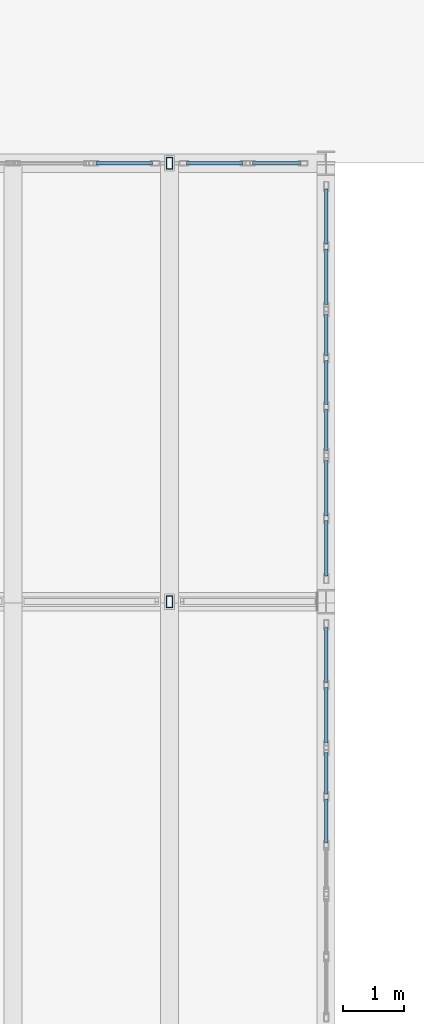
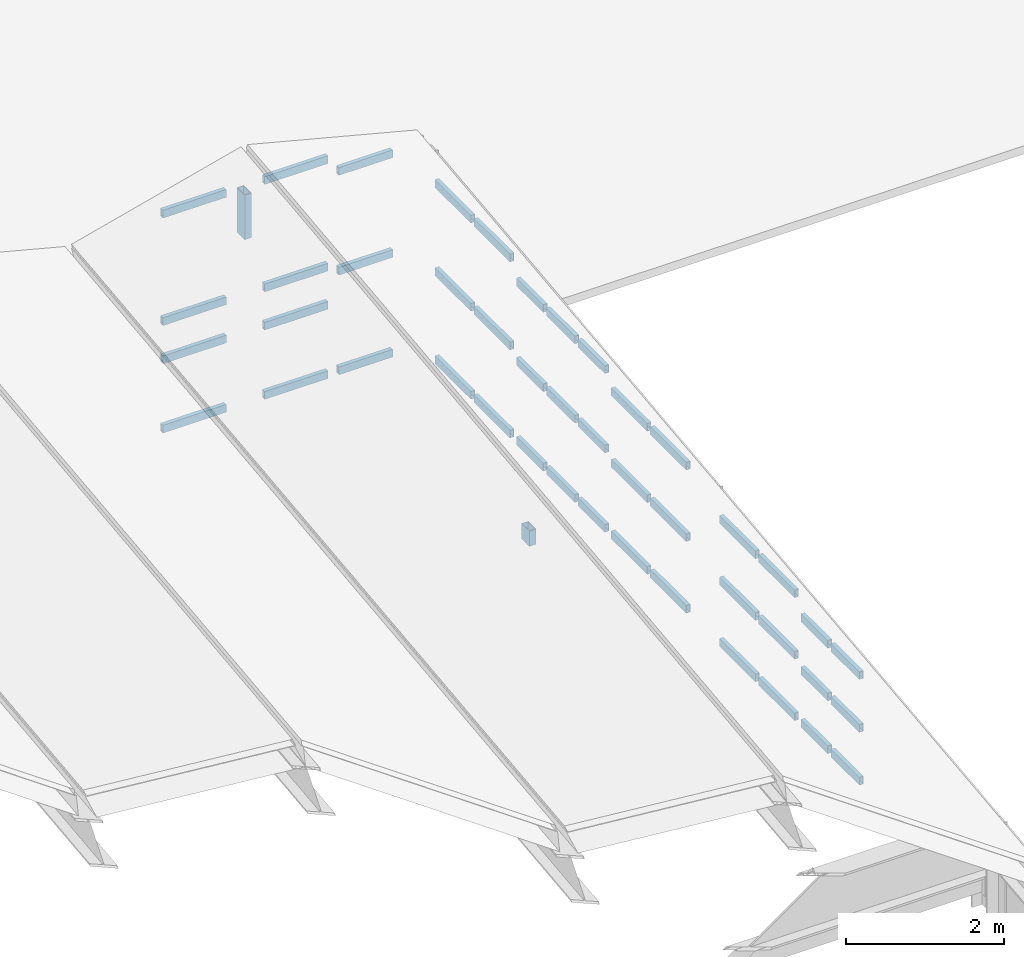
# One storey, part 23 of 39: 46 members, 8 elements without a shape of their own.
"""IFC4 building model written with IfcOpenShell, lengths in metres."""

from ifc_helpers import new_model, si_unit, direction, frame, origin, origin_2d, place, context, subcontext, project, spatial, hollow_rectangle, extrude, material, layer, layer_set, material_profile, profile_set, type_object, element, aggregate, save


model = new_model("IFC4")

# Units and contexts
model_context = context("Model", 3, precision=1e-05, world=origin(), true_north=direction((0.0, 1.0)))
body_context = subcontext(model_context, "Body", "Model", "MODEL_VIEW")
ifc_project = project(units=[si_unit("LENGTHUNIT", "METRE"), si_unit("AREAUNIT", "SQUARE_METRE"), si_unit("VOLUMEUNIT", "CUBIC_METRE"), si_unit("PLANEANGLEUNIT", "RADIAN"), si_unit("MASSUNIT", "GRAM", prefix="KILO"), si_unit("THERMODYNAMICTEMPERATUREUNIT", "KELVIN"), si_unit("POWERUNIT", "WATT")], contexts=[model_context])

# Site, building, storey
site_placement = place(None, origin())
site = spatial("IfcSite", under=ifc_project, at=site_placement, CompositionType="ELEMENT")
building_placement = place(site_placement, origin())
building = spatial("IfcBuilding", under=site, at=building_placement, Name="Kaldorven Railside Theatre", CompositionType="ELEMENT")
storey_placement = place(building_placement, frame((0.0, 0.0, 27.300048828125)))
storey = spatial("IfcBuildingStorey", under=building, at=storey_placement, Name="ROOF", CompositionType="ELEMENT", Elevation=27.300048828125)

# Curtain wall, members
ifc_material_1 = material(Name="Low-E laminated solar-control glass", Category="glass")
ifc_layer_1 = layer(ifc_material_1, 0.159912109375, Name="Low-E laminated solar-control glass")
ifc_layer_set_1 = layer_set([ifc_layer_1], Name="Low-E laminated solar-control glass")
curtain_wall_type_1 = type_object("IfcCurtainWallType", Name="CWT-48", PredefinedType="USERDEFINED", material=ifc_layer_set_1)
curtain_wall_1_placement = place(storey_placement, origin())
curtain_wall_1 = element("IfcCurtainWall", 1, at=curtain_wall_1_placement, inside=storey, type_object=curtain_wall_type_1, Name="Fly-Tower North Crown Clerestory CWG-088", ObjectType="FLUTED GLAZING", PredefinedType="USERDEFINED")
ifc_material_2 = material(Name="Anodised bronze aluminium", Category="aluminium")
ifc_material_profile_1 = material_profile(ifc_material_2, hollow_rectangle(XDim=0.06005859375, YDim=0.1201171875, WallThickness=0.0048828125, at=origin_2d()), Name="RHS 120x60x5")
ifc_profile_set_1 = profile_set([ifc_material_profile_1], Name="Anodised bronze aluminium")
member_type_1 = type_object("IfcMemberType", Name="CWT-120", PredefinedType="USERDEFINED", material=ifc_profile_set_1)
member_1_placement = place(storey_placement, frame((119.4228515625, 112.800048828125, 0.050048828125), z_axis=(1.0, 0.0, 0.0), x_axis=(0.0, 1.0, 0.0)))
member_1 = element("IfcMember", 2, at=member_1_placement, type_object=member_type_1, Name="CWG-088 transom 1.1", ObjectType="TRANSOM", PredefinedType="USERDEFINED", context=body_context, shape_type="SweptSolid", body=[
    extrude(hollow_rectangle(XDim=0.06005859375, YDim=0.1201171875, WallThickness=0.0048828125, at=origin_2d()), origin(), (0.0, 0.0, 1.0), 0.925537109375),
])
member_2_placement = place(storey_placement, frame((119.4228515625, 112.800048828125, 1.119873046875), z_axis=(1.0, 0.0, 0.0), x_axis=(0.0, 1.0, 0.0)))
member_2 = element("IfcMember", 3, at=member_2_placement, type_object=member_type_1, Name="CWG-088 transom 1.2", ObjectType="TRANSOM", PredefinedType="USERDEFINED", context=body_context, shape_type="SweptSolid", body=[
    extrude(hollow_rectangle(XDim=0.06005859375, YDim=0.1201171875, WallThickness=0.0048828125, at=origin_2d()), origin(), (0.0, 0.0, 1.0), 0.925537109375),
])
member_3_placement = place(storey_placement, frame((119.4228515625, 112.800048828125, 1.7099609375), z_axis=(1.0, 0.0, 0.0), x_axis=(0.0, 1.0, 0.0)))
member_3 = element("IfcMember", 4, at=member_3_placement, type_object=member_type_1, Name="CWG-088 transom 1.3", ObjectType="TRANSOM", PredefinedType="USERDEFINED", context=body_context, shape_type="SweptSolid", body=[
    extrude(hollow_rectangle(XDim=0.06005859375, YDim=0.1201171875, WallThickness=0.0048828125, at=origin_2d()), origin(), (0.0, 0.0, 1.0), 0.925537109375),
])
member_4_placement = place(storey_placement, frame((119.4228515625, 112.800048828125, 3.369873046875), z_axis=(1.0, 0.0, 0.0), x_axis=(0.0, 1.0, 0.0)))
member_4 = element("IfcMember", 5, at=member_4_placement, type_object=member_type_1, Name="CWG-088 transom 1.4", ObjectType="TRANSOM", PredefinedType="USERDEFINED", context=body_context, shape_type="SweptSolid", body=[
    extrude(hollow_rectangle(XDim=0.06005859375, YDim=0.1201171875, WallThickness=0.0048828125, at=origin_2d()), origin(), (0.0, 0.0, 1.0), 0.925537109375),
])
aggregate(curtain_wall_1, [member_1, member_2, member_3, member_4])

curtain_wall_2_placement = place(storey_placement, origin())
curtain_wall_2 = element("IfcCurtainWall", 6, at=curtain_wall_2_placement, inside=storey, type_object=curtain_wall_type_1, Name="Fly-Tower North Crown Clerestory CWG-089", ObjectType="FLUTED GLAZING", PredefinedType="USERDEFINED")
member_5_placement = place(storey_placement, frame((120.908447265625, 112.800048828125, 0.050048828125), z_axis=(1.0, 0.0, 0.0), x_axis=(0.0, 1.0, 0.0)))
member_5 = element("IfcMember", 7, at=member_5_placement, type_object=member_type_1, Name="CWG-089 transom 1.1", ObjectType="TRANSOM", PredefinedType="USERDEFINED", context=body_context, shape_type="SweptSolid", body=[
    extrude(hollow_rectangle(XDim=0.06005859375, YDim=0.1201171875, WallThickness=0.0048828125, at=origin_2d()), origin(), (0.0, 0.0, 1.0), 0.92578125),
])
member_6_placement = place(storey_placement, frame((120.908447265625, 112.800048828125, 1.119873046875), z_axis=(1.0, 0.0, 0.0), x_axis=(0.0, 1.0, 0.0)))
member_6 = element("IfcMember", 8, at=member_6_placement, type_object=member_type_1, Name="CWG-089 transom 1.2", ObjectType="TRANSOM", PredefinedType="USERDEFINED", context=body_context, shape_type="SweptSolid", body=[
    extrude(hollow_rectangle(XDim=0.06005859375, YDim=0.1201171875, WallThickness=0.0048828125, at=origin_2d()), origin(), (0.0, 0.0, 1.0), 0.92578125),
])
member_7_placement = place(storey_placement, frame((120.908447265625, 112.800048828125, 1.7099609375), z_axis=(1.0, 0.0, 0.0), x_axis=(0.0, 1.0, 0.0)))
member_7 = element("IfcMember", 9, at=member_7_placement, type_object=member_type_1, Name="CWG-089 transom 1.3", ObjectType="TRANSOM", PredefinedType="USERDEFINED", context=body_context, shape_type="SweptSolid", body=[
    extrude(hollow_rectangle(XDim=0.06005859375, YDim=0.1201171875, WallThickness=0.0048828125, at=origin_2d()), origin(), (0.0, 0.0, 1.0), 0.92578125),
])
member_8_placement = place(storey_placement, frame((120.908447265625, 112.800048828125, 3.369873046875), z_axis=(1.0, 0.0, 0.0), x_axis=(0.0, 1.0, 0.0)))
member_8 = element("IfcMember", 10, at=member_8_placement, type_object=member_type_1, Name="CWG-089 transom 1.4", ObjectType="TRANSOM", PredefinedType="USERDEFINED", context=body_context, shape_type="SweptSolid", body=[
    extrude(hollow_rectangle(XDim=0.06005859375, YDim=0.1201171875, WallThickness=0.0048828125, at=origin_2d()), origin(), (0.0, 0.0, 1.0), 0.92578125),
])
aggregate(curtain_wall_2, [member_5, member_6, member_7, member_8])

ifc_layer_2 = layer(ifc_material_1, 0.159912109375, Name="Low-E laminated solar-control glass")
ifc_layer_set_2 = layer_set([ifc_layer_2], Name="Low-E laminated solar-control glass")
curtain_wall_type_2 = type_object("IfcCurtainWallType", Name="CWT-47", PredefinedType="USERDEFINED", material=ifc_layer_set_2)
curtain_wall_3_placement = place(storey_placement, origin())
curtain_wall_3 = element("IfcCurtainWall", 11, at=curtain_wall_3_placement, inside=storey, type_object=curtain_wall_type_2, Name="Fly-Tower North Crown Clerestory CWG-090", ObjectType="FLUTED GLAZING", PredefinedType="USERDEFINED")
member_9_placement = place(storey_placement, frame((121.994384765625, 112.800048828125, 0.050048828125), z_axis=(1.0, 0.0, 0.0), x_axis=(0.0, 1.0, 0.0)))
member_9 = element("IfcMember", 12, at=member_9_placement, type_object=member_type_1, Name="CWG-090 transom 1.1", ObjectType="TRANSOM", PredefinedType="USERDEFINED", context=body_context, shape_type="SweptSolid", body=[
    extrude(hollow_rectangle(XDim=0.06005859375, YDim=0.1201171875, WallThickness=0.0048828125, at=origin_2d()), origin(), (0.0, 0.0, 1.0), 0.78564453125),
])
member_10_placement = place(storey_placement, frame((121.994384765625, 112.800048828125, 1.58984375), z_axis=(1.0, 0.0, 0.0), x_axis=(0.0, 1.0, 0.0)))
member_10 = element("IfcMember", 13, at=member_10_placement, type_object=member_type_1, Name="CWG-090 transom 1.2", ObjectType="TRANSOM", PredefinedType="USERDEFINED", context=body_context, shape_type="SweptSolid", body=[
    extrude(hollow_rectangle(XDim=0.06005859375, YDim=0.1201171875, WallThickness=0.0048828125, at=origin_2d()), origin(), (0.0, 0.0, 1.0), 0.78564453125),
])
member_11_placement = place(storey_placement, frame((121.994384765625, 112.800048828125, 3.1298828125), z_axis=(1.0, 0.0, 0.0), x_axis=(0.0, 1.0, 0.0)))
member_11 = element("IfcMember", 14, at=member_11_placement, type_object=member_type_1, Name="CWG-090 transom 1.3", ObjectType="TRANSOM", PredefinedType="USERDEFINED", context=body_context, shape_type="SweptSolid", body=[
    extrude(hollow_rectangle(XDim=0.06005859375, YDim=0.1201171875, WallThickness=0.0048828125, at=origin_2d()), origin(), (0.0, 0.0, 1.0), 0.78564453125),
])
aggregate(curtain_wall_3, [member_9, member_10, member_11])

ifc_layer_3 = layer(ifc_material_1, 0.159912109375, Name="Low-E laminated solar-control glass")
ifc_layer_set_3 = layer_set([ifc_layer_3], Name="Low-E laminated solar-control glass")
curtain_wall_type_3 = type_object("IfcCurtainWallType", Name="CWT-56", PredefinedType="USERDEFINED", material=ifc_layer_set_3)
curtain_wall_4_placement = place(storey_placement, origin())
curtain_wall_4 = element("IfcCurtainWall", 15, at=curtain_wall_4_placement, inside=storey, type_object=curtain_wall_type_3, Name="Fly-Tower East Crown Clerestory CWG-106", ObjectType="FLUTED GLAZING", PredefinedType="USERDEFINED")
member_12_placement = place(storey_placement, frame((123.199951171875, 101.639892578125, 0.050048828125), z_axis=(0.0, 1.0, 0.0), x_axis=(-1.0, 0.0, 0.0)))
member_12 = element("IfcMember", 16, at=member_12_placement, type_object=member_type_1, Name="CWG-106 transom 2.1", ObjectType="TRANSOM", PredefinedType="USERDEFINED", context=body_context, shape_type="SweptSolid", body=[
    extrude(hollow_rectangle(XDim=0.06005859375, YDim=0.1201171875, WallThickness=0.0048828125, at=origin_2d()), origin(), (0.0, 0.0, 1.0), 0.72021484375),
])
member_13_placement = place(storey_placement, frame((123.199951171875, 101.639892578125, 0.864990234375), z_axis=(0.0, 1.0, 0.0), x_axis=(-1.0, 0.0, 0.0)))
member_13 = element("IfcMember", 17, at=member_13_placement, type_object=member_type_1, Name="CWG-106 transom 2.2", ObjectType="TRANSOM", PredefinedType="USERDEFINED", context=body_context, shape_type="SweptSolid", body=[
    extrude(hollow_rectangle(XDim=0.06005859375, YDim=0.1201171875, WallThickness=0.0048828125, at=origin_2d()), origin(), (0.0, 0.0, 1.0), 0.72021484375),
])
member_14_placement = place(storey_placement, frame((123.199951171875, 101.639892578125, 1.679931640625), z_axis=(0.0, 1.0, 0.0), x_axis=(-1.0, 0.0, 0.0)))
member_14 = element("IfcMember", 18, at=member_14_placement, type_object=member_type_1, Name="CWG-106 transom 2.3", ObjectType="TRANSOM", PredefinedType="USERDEFINED", context=body_context, shape_type="SweptSolid", body=[
    extrude(hollow_rectangle(XDim=0.06005859375, YDim=0.1201171875, WallThickness=0.0048828125, at=origin_2d()), origin(), (0.0, 0.0, 1.0), 0.72021484375),
])
member_15_placement = place(storey_placement, frame((123.199951171875, 102.43994140625, 0.050048828125), z_axis=(0.0, 1.0, 0.0), x_axis=(-1.0, 0.0, 0.0)))
member_15 = element("IfcMember", 19, at=member_15_placement, type_object=member_type_1, Name="CWG-106 transom 3.1", ObjectType="TRANSOM", PredefinedType="USERDEFINED", context=body_context, shape_type="SweptSolid", body=[
    extrude(hollow_rectangle(XDim=0.06005859375, YDim=0.1201171875, WallThickness=0.0048828125, at=origin_2d()), origin(), (0.0, 0.0, 1.0), 0.68017578125),
])
member_16_placement = place(storey_placement, frame((123.199951171875, 102.43994140625, 0.864990234375), z_axis=(0.0, 1.0, 0.0), x_axis=(-1.0, 0.0, 0.0)))
member_16 = element("IfcMember", 20, at=member_16_placement, type_object=member_type_1, Name="CWG-106 transom 3.2", ObjectType="TRANSOM", PredefinedType="USERDEFINED", context=body_context, shape_type="SweptSolid", body=[
    extrude(hollow_rectangle(XDim=0.06005859375, YDim=0.1201171875, WallThickness=0.0048828125, at=origin_2d()), origin(), (0.0, 0.0, 1.0), 0.68017578125),
])
member_17_placement = place(storey_placement, frame((123.199951171875, 102.43994140625, 1.679931640625), z_axis=(0.0, 1.0, 0.0), x_axis=(-1.0, 0.0, 0.0)))
member_17 = element("IfcMember", 21, at=member_17_placement, type_object=member_type_1, Name="CWG-106 transom 3.3", ObjectType="TRANSOM", PredefinedType="USERDEFINED", context=body_context, shape_type="SweptSolid", body=[
    extrude(hollow_rectangle(XDim=0.06005859375, YDim=0.1201171875, WallThickness=0.0048828125, at=origin_2d()), origin(), (0.0, 0.0, 1.0), 0.68017578125),
])
aggregate(curtain_wall_4, [member_12, member_13, member_14, member_15, member_16, member_17])

ifc_layer_4 = layer(ifc_material_1, 0.159912109375, Name="Low-E laminated solar-control glass")
ifc_layer_set_4 = layer_set([ifc_layer_4], Name="Low-E laminated solar-control glass")
curtain_wall_type_4 = type_object("IfcCurtainWallType", Name="CWT-57", PredefinedType="USERDEFINED", material=ifc_layer_set_4)
curtain_wall_5_placement = place(storey_placement, origin())
curtain_wall_5 = element("IfcCurtainWall", 22, at=curtain_wall_5_placement, inside=storey, type_object=curtain_wall_type_4, Name="Fly-Tower East Crown Clerestory CWG-107", ObjectType="FLUTED GLAZING", PredefinedType="USERDEFINED")
member_18_placement = place(storey_placement, frame((123.199951171875, 103.280029296875, 0.050048828125), z_axis=(0.0, 1.0, 0.0), x_axis=(-1.0, 0.0, 0.0)))
member_18 = element("IfcMember", 23, at=member_18_placement, type_object=member_type_1, Name="CWG-107 transom 1.1", ObjectType="TRANSOM", PredefinedType="USERDEFINED", context=body_context, shape_type="SweptSolid", body=[
    extrude(hollow_rectangle(XDim=0.06005859375, YDim=0.1201171875, WallThickness=0.0048828125, at=origin_2d()), origin(), (0.0, 0.0, 1.0), 0.909912109375),
])
member_19_placement = place(storey_placement, frame((123.199951171875, 103.280029296875, 1.0), z_axis=(0.0, 1.0, 0.0), x_axis=(-1.0, 0.0, 0.0)))
member_19 = element("IfcMember", 24, at=member_19_placement, type_object=member_type_1, Name="CWG-107 transom 1.2", ObjectType="TRANSOM", PredefinedType="USERDEFINED", context=body_context, shape_type="SweptSolid", body=[
    extrude(hollow_rectangle(XDim=0.06005859375, YDim=0.1201171875, WallThickness=0.0048828125, at=origin_2d()), origin(), (0.0, 0.0, 1.0), 0.909912109375),
])
member_20_placement = place(storey_placement, frame((123.199951171875, 103.280029296875, 1.949951171875), z_axis=(0.0, 1.0, 0.0), x_axis=(-1.0, 0.0, 0.0)))
member_20 = element("IfcMember", 25, at=member_20_placement, type_object=member_type_1, Name="CWG-107 transom 1.3", ObjectType="TRANSOM", PredefinedType="USERDEFINED", context=body_context, shape_type="SweptSolid", body=[
    extrude(hollow_rectangle(XDim=0.06005859375, YDim=0.1201171875, WallThickness=0.0048828125, at=origin_2d()), origin(), (0.0, 0.0, 1.0), 0.909912109375),
])
member_21_placement = place(storey_placement, frame((123.199951171875, 104.27001953125, 0.050048828125), z_axis=(0.0, 1.0, 0.0), x_axis=(-1.0, 0.0, 0.0)))
member_21 = element("IfcMember", 26, at=member_21_placement, type_object=member_type_1, Name="CWG-107 transom 2.1", ObjectType="TRANSOM", PredefinedType="USERDEFINED", context=body_context, shape_type="SweptSolid", body=[
    extrude(hollow_rectangle(XDim=0.06005859375, YDim=0.1201171875, WallThickness=0.0048828125, at=origin_2d()), origin(), (0.0, 0.0, 1.0), 0.909912109375),
])
member_22_placement = place(storey_placement, frame((123.199951171875, 104.27001953125, 1.0), z_axis=(0.0, 1.0, 0.0), x_axis=(-1.0, 0.0, 0.0)))
member_22 = element("IfcMember", 27, at=member_22_placement, type_object=member_type_1, Name="CWG-107 transom 2.2", ObjectType="TRANSOM", PredefinedType="USERDEFINED", context=body_context, shape_type="SweptSolid", body=[
    extrude(hollow_rectangle(XDim=0.06005859375, YDim=0.1201171875, WallThickness=0.0048828125, at=origin_2d()), origin(), (0.0, 0.0, 1.0), 0.909912109375),
])
member_23_placement = place(storey_placement, frame((123.199951171875, 104.27001953125, 1.949951171875), z_axis=(0.0, 1.0, 0.0), x_axis=(-1.0, 0.0, 0.0)))
member_23 = element("IfcMember", 28, at=member_23_placement, type_object=member_type_1, Name="CWG-107 transom 2.3", ObjectType="TRANSOM", PredefinedType="USERDEFINED", context=body_context, shape_type="SweptSolid", body=[
    extrude(hollow_rectangle(XDim=0.06005859375, YDim=0.1201171875, WallThickness=0.0048828125, at=origin_2d()), origin(), (0.0, 0.0, 1.0), 0.909912109375),
])
aggregate(curtain_wall_5, [member_18, member_19, member_20, member_21, member_22, member_23])

ifc_layer_5 = layer(ifc_material_1, 0.159912109375, Name="Low-E laminated solar-control glass")
ifc_layer_set_5 = layer_set([ifc_layer_5], Name="Low-E laminated solar-control glass")
curtain_wall_type_5 = type_object("IfcCurtainWallType", Name="CWT-58", PredefinedType="USERDEFINED", material=ifc_layer_set_5)
curtain_wall_6_placement = place(storey_placement, origin())
curtain_wall_6 = element("IfcCurtainWall", 29, at=curtain_wall_6_placement, inside=storey, type_object=curtain_wall_type_5, Name="Fly-Tower East Crown Clerestory CWG-108", ObjectType="FLUTED GLAZING", PredefinedType="USERDEFINED")
member_24_placement = place(storey_placement, frame((123.199951171875, 106.02001953125, 0.050048828125), z_axis=(0.0, 1.0, 0.0), x_axis=(-1.0, 0.0, 0.0)))
member_24 = element("IfcMember", 30, at=member_24_placement, type_object=member_type_1, Name="CWG-108 transom 1.1", ObjectType="TRANSOM", PredefinedType="USERDEFINED", context=body_context, shape_type="SweptSolid", body=[
    extrude(hollow_rectangle(XDim=0.06005859375, YDim=0.1201171875, WallThickness=0.0048828125, at=origin_2d()), origin(), (0.0, 0.0, 1.0), 0.909912109375),
])
member_25_placement = place(storey_placement, frame((123.199951171875, 106.02001953125, 1.155029296875), z_axis=(0.0, 1.0, 0.0), x_axis=(-1.0, 0.0, 0.0)))
member_25 = element("IfcMember", 31, at=member_25_placement, type_object=member_type_1, Name="CWG-108 transom 1.2", ObjectType="TRANSOM", PredefinedType="USERDEFINED", context=body_context, shape_type="SweptSolid", body=[
    extrude(hollow_rectangle(XDim=0.06005859375, YDim=0.1201171875, WallThickness=0.0048828125, at=origin_2d()), origin(), (0.0, 0.0, 1.0), 0.909912109375),
])
member_26_placement = place(storey_placement, frame((123.199951171875, 106.02001953125, 2.260009765625), z_axis=(0.0, 1.0, 0.0), x_axis=(-1.0, 0.0, 0.0)))
member_26 = element("IfcMember", 32, at=member_26_placement, type_object=member_type_1, Name="CWG-108 transom 1.3", ObjectType="TRANSOM", PredefinedType="USERDEFINED", context=body_context, shape_type="SweptSolid", body=[
    extrude(hollow_rectangle(XDim=0.06005859375, YDim=0.1201171875, WallThickness=0.0048828125, at=origin_2d()), origin(), (0.0, 0.0, 1.0), 0.909912109375),
])
member_27_placement = place(storey_placement, frame((123.199951171875, 107.010009765625, 0.050048828125), z_axis=(0.0, 1.0, 0.0), x_axis=(-1.0, 0.0, 0.0)))
member_27 = element("IfcMember", 33, at=member_27_placement, type_object=member_type_1, Name="CWG-108 transom 2.1", ObjectType="TRANSOM", PredefinedType="USERDEFINED", context=body_context, shape_type="SweptSolid", body=[
    extrude(hollow_rectangle(XDim=0.06005859375, YDim=0.1201171875, WallThickness=0.0048828125, at=origin_2d()), origin(), (0.0, 0.0, 1.0), 0.909912109375),
])
member_28_placement = place(storey_placement, frame((123.199951171875, 107.010009765625, 1.155029296875), z_axis=(0.0, 1.0, 0.0), x_axis=(-1.0, 0.0, 0.0)))
member_28 = element("IfcMember", 34, at=member_28_placement, type_object=member_type_1, Name="CWG-108 transom 2.2", ObjectType="TRANSOM", PredefinedType="USERDEFINED", context=body_context, shape_type="SweptSolid", body=[
    extrude(hollow_rectangle(XDim=0.06005859375, YDim=0.1201171875, WallThickness=0.0048828125, at=origin_2d()), origin(), (0.0, 0.0, 1.0), 0.909912109375),
])
member_29_placement = place(storey_placement, frame((123.199951171875, 107.010009765625, 2.260009765625), z_axis=(0.0, 1.0, 0.0), x_axis=(-1.0, 0.0, 0.0)))
member_29 = element("IfcMember", 35, at=member_29_placement, type_object=member_type_1, Name="CWG-108 transom 2.3", ObjectType="TRANSOM", PredefinedType="USERDEFINED", context=body_context, shape_type="SweptSolid", body=[
    extrude(hollow_rectangle(XDim=0.06005859375, YDim=0.1201171875, WallThickness=0.0048828125, at=origin_2d()), origin(), (0.0, 0.0, 1.0), 0.909912109375),
])
aggregate(curtain_wall_6, [member_24, member_25, member_26, member_27, member_28, member_29])

ifc_layer_6 = layer(ifc_material_1, 0.159912109375, Name="Low-E laminated solar-control glass")
ifc_layer_set_6 = layer_set([ifc_layer_6], Name="Low-E laminated solar-control glass")
curtain_wall_type_6 = type_object("IfcCurtainWallType", Name="CWT-33", PredefinedType="USERDEFINED", material=ifc_layer_set_6)
curtain_wall_7_placement = place(storey_placement, origin())
curtain_wall_7 = element("IfcCurtainWall", 36, at=curtain_wall_7_placement, inside=storey, type_object=curtain_wall_type_6, Name="Fly-Tower East Crown Clerestory CWG-109", ObjectType="FLUTED GLAZING", PredefinedType="USERDEFINED")
member_30_placement = place(storey_placement, frame((123.199951171875, 108.080078125, 0.050048828125), z_axis=(0.0, 1.0, 0.0), x_axis=(-1.0, 0.0, 0.0)))
member_30 = element("IfcMember", 37, at=member_30_placement, type_object=member_type_1, Name="CWG-109 transom 1.1", ObjectType="TRANSOM", PredefinedType="USERDEFINED", context=body_context, shape_type="SweptSolid", body=[
    extrude(hollow_rectangle(XDim=0.06005859375, YDim=0.1201171875, WallThickness=0.0048828125, at=origin_2d()), origin(), (0.0, 0.0, 1.0), 0.679931640625),
])
member_31_placement = place(storey_placement, frame((123.199951171875, 108.080078125, 1.27490234375), z_axis=(0.0, 1.0, 0.0), x_axis=(-1.0, 0.0, 0.0)))
member_31 = element("IfcMember", 38, at=member_31_placement, type_object=member_type_1, Name="CWG-109 transom 1.2", ObjectType="TRANSOM", PredefinedType="USERDEFINED", context=body_context, shape_type="SweptSolid", body=[
    extrude(hollow_rectangle(XDim=0.06005859375, YDim=0.1201171875, WallThickness=0.0048828125, at=origin_2d()), origin(), (0.0, 0.0, 1.0), 0.679931640625),
])
member_32_placement = place(storey_placement, frame((123.199951171875, 108.080078125, 2.5), z_axis=(0.0, 1.0, 0.0), x_axis=(-1.0, 0.0, 0.0)))
member_32 = element("IfcMember", 39, at=member_32_placement, type_object=member_type_1, Name="CWG-109 transom 1.3", ObjectType="TRANSOM", PredefinedType="USERDEFINED", context=body_context, shape_type="SweptSolid", body=[
    extrude(hollow_rectangle(XDim=0.06005859375, YDim=0.1201171875, WallThickness=0.0048828125, at=origin_2d()), origin(), (0.0, 0.0, 1.0), 0.679931640625),
])
member_33_placement = place(storey_placement, frame((123.199951171875, 108.840087890625, 0.050048828125), z_axis=(0.0, 1.0, 0.0), x_axis=(-1.0, 0.0, 0.0)))
member_33 = element("IfcMember", 40, at=member_33_placement, type_object=member_type_1, Name="CWG-109 transom 2.1", ObjectType="TRANSOM", PredefinedType="USERDEFINED", context=body_context, shape_type="SweptSolid", body=[
    extrude(hollow_rectangle(XDim=0.06005859375, YDim=0.1201171875, WallThickness=0.0048828125, at=origin_2d()), origin(), (0.0, 0.0, 1.0), 0.719970703125),
])
member_34_placement = place(storey_placement, frame((123.199951171875, 108.840087890625, 1.27490234375), z_axis=(0.0, 1.0, 0.0), x_axis=(-1.0, 0.0, 0.0)))
member_34 = element("IfcMember", 41, at=member_34_placement, type_object=member_type_1, Name="CWG-109 transom 2.2", ObjectType="TRANSOM", PredefinedType="USERDEFINED", context=body_context, shape_type="SweptSolid", body=[
    extrude(hollow_rectangle(XDim=0.06005859375, YDim=0.1201171875, WallThickness=0.0048828125, at=origin_2d()), origin(), (0.0, 0.0, 1.0), 0.719970703125),
])
member_35_placement = place(storey_placement, frame((123.199951171875, 108.840087890625, 2.5), z_axis=(0.0, 1.0, 0.0), x_axis=(-1.0, 0.0, 0.0)))
member_35 = element("IfcMember", 42, at=member_35_placement, type_object=member_type_1, Name="CWG-109 transom 2.3", ObjectType="TRANSOM", PredefinedType="USERDEFINED", context=body_context, shape_type="SweptSolid", body=[
    extrude(hollow_rectangle(XDim=0.06005859375, YDim=0.1201171875, WallThickness=0.0048828125, at=origin_2d()), origin(), (0.0, 0.0, 1.0), 0.719970703125),
])
member_36_placement = place(storey_placement, frame((123.199951171875, 109.639892578125, 0.050048828125), z_axis=(0.0, 1.0, 0.0), x_axis=(-1.0, 0.0, 0.0)))
member_36 = element("IfcMember", 43, at=member_36_placement, type_object=member_type_1, Name="CWG-109 transom 3.1", ObjectType="TRANSOM", PredefinedType="USERDEFINED", context=body_context, shape_type="SweptSolid", body=[
    extrude(hollow_rectangle(XDim=0.06005859375, YDim=0.1201171875, WallThickness=0.0048828125, at=origin_2d()), origin(), (0.0, 0.0, 1.0), 0.68017578125),
])
member_37_placement = place(storey_placement, frame((123.199951171875, 109.639892578125, 1.27490234375), z_axis=(0.0, 1.0, 0.0), x_axis=(-1.0, 0.0, 0.0)))
member_37 = element("IfcMember", 44, at=member_37_placement, type_object=member_type_1, Name="CWG-109 transom 3.2", ObjectType="TRANSOM", PredefinedType="USERDEFINED", context=body_context, shape_type="SweptSolid", body=[
    extrude(hollow_rectangle(XDim=0.06005859375, YDim=0.1201171875, WallThickness=0.0048828125, at=origin_2d()), origin(), (0.0, 0.0, 1.0), 0.68017578125),
])
member_38_placement = place(storey_placement, frame((123.199951171875, 109.639892578125, 2.5), z_axis=(0.0, 1.0, 0.0), x_axis=(-1.0, 0.0, 0.0)))
member_38 = element("IfcMember", 45, at=member_38_placement, type_object=member_type_1, Name="CWG-109 transom 3.3", ObjectType="TRANSOM", PredefinedType="USERDEFINED", context=body_context, shape_type="SweptSolid", body=[
    extrude(hollow_rectangle(XDim=0.06005859375, YDim=0.1201171875, WallThickness=0.0048828125, at=origin_2d()), origin(), (0.0, 0.0, 1.0), 0.68017578125),
])
aggregate(curtain_wall_7, [member_30, member_31, member_32, member_33, member_34, member_35, member_36, member_37, member_38])

ifc_layer_7 = layer(ifc_material_1, 0.159912109375, Name="Low-E laminated solar-control glass")
ifc_layer_set_7 = layer_set([ifc_layer_7], Name="Low-E laminated solar-control glass")
curtain_wall_type_7 = type_object("IfcCurtainWallType", Name="CWT-59", PredefinedType="USERDEFINED", material=ifc_layer_set_7)
curtain_wall_8_placement = place(storey_placement, origin())
curtain_wall_8 = element("IfcCurtainWall", 46, at=curtain_wall_8_placement, inside=storey, type_object=curtain_wall_type_7, Name="Fly-Tower East Crown Clerestory CWG-110", ObjectType="FLUTED GLAZING", PredefinedType="USERDEFINED")
member_39_placement = place(storey_placement, frame((123.199951171875, 110.47998046875, 0.050048828125), z_axis=(0.0, 1.0, 0.0), x_axis=(-1.0, 0.0, 0.0)))
member_39 = element("IfcMember", 47, at=member_39_placement, type_object=member_type_1, Name="CWG-110 transom 1.1", ObjectType="TRANSOM", PredefinedType="USERDEFINED", context=body_context, shape_type="SweptSolid", body=[
    extrude(hollow_rectangle(XDim=0.06005859375, YDim=0.1201171875, WallThickness=0.0048828125, at=origin_2d()), origin(), (0.0, 0.0, 1.0), 0.909912109375),
])
member_40_placement = place(storey_placement, frame((123.199951171875, 110.47998046875, 1.409912109375), z_axis=(0.0, 1.0, 0.0), x_axis=(-1.0, 0.0, 0.0)))
member_40 = element("IfcMember", 48, at=member_40_placement, type_object=member_type_1, Name="CWG-110 transom 1.2", ObjectType="TRANSOM", PredefinedType="USERDEFINED", context=body_context, shape_type="SweptSolid", body=[
    extrude(hollow_rectangle(XDim=0.06005859375, YDim=0.1201171875, WallThickness=0.0048828125, at=origin_2d()), origin(), (0.0, 0.0, 1.0), 0.909912109375),
])
member_41_placement = place(storey_placement, frame((123.199951171875, 110.47998046875, 2.77001953125), z_axis=(0.0, 1.0, 0.0), x_axis=(-1.0, 0.0, 0.0)))
member_41 = element("IfcMember", 49, at=member_41_placement, type_object=member_type_1, Name="CWG-110 transom 1.3", ObjectType="TRANSOM", PredefinedType="USERDEFINED", context=body_context, shape_type="SweptSolid", body=[
    extrude(hollow_rectangle(XDim=0.06005859375, YDim=0.1201171875, WallThickness=0.0048828125, at=origin_2d()), origin(), (0.0, 0.0, 1.0), 0.909912109375),
])
member_42_placement = place(storey_placement, frame((123.199951171875, 111.469970703125, 0.050048828125), z_axis=(0.0, 1.0, 0.0), x_axis=(-1.0, 0.0, 0.0)))
member_42 = element("IfcMember", 50, at=member_42_placement, type_object=member_type_1, Name="CWG-110 transom 2.1", ObjectType="TRANSOM", PredefinedType="USERDEFINED", context=body_context, shape_type="SweptSolid", body=[
    extrude(hollow_rectangle(XDim=0.06005859375, YDim=0.1201171875, WallThickness=0.0048828125, at=origin_2d()), origin(), (0.0, 0.0, 1.0), 0.909912109375),
])
member_43_placement = place(storey_placement, frame((123.199951171875, 111.469970703125, 1.409912109375), z_axis=(0.0, 1.0, 0.0), x_axis=(-1.0, 0.0, 0.0)))
member_43 = element("IfcMember", 51, at=member_43_placement, type_object=member_type_1, Name="CWG-110 transom 2.2", ObjectType="TRANSOM", PredefinedType="USERDEFINED", context=body_context, shape_type="SweptSolid", body=[
    extrude(hollow_rectangle(XDim=0.06005859375, YDim=0.1201171875, WallThickness=0.0048828125, at=origin_2d()), origin(), (0.0, 0.0, 1.0), 0.909912109375),
])
member_44_placement = place(storey_placement, frame((123.199951171875, 111.469970703125, 2.77001953125), z_axis=(0.0, 1.0, 0.0), x_axis=(-1.0, 0.0, 0.0)))
member_44 = element("IfcMember", 52, at=member_44_placement, type_object=member_type_1, Name="CWG-110 transom 2.3", ObjectType="TRANSOM", PredefinedType="USERDEFINED", context=body_context, shape_type="SweptSolid", body=[
    extrude(hollow_rectangle(XDim=0.06005859375, YDim=0.1201171875, WallThickness=0.0048828125, at=origin_2d()), origin(), (0.0, 0.0, 1.0), 0.909912109375),
])
aggregate(curtain_wall_8, [member_39, member_40, member_41, member_42, member_43, member_44])

# Members
ifc_material_3 = material(Name="Steel S355", Category="steel")
ifc_material_profile_2 = material_profile(ifc_material_3, hollow_rectangle(XDim=0.10009765625, YDim=0.199951171875, WallThickness=0.008056640625, at=origin_2d()), Name="RHS 200x100x8")
ifc_profile_set_2 = profile_set([ifc_material_profile_2], Name="Steel S355")
member_type_2 = type_object("IfcMemberType", Name="MEM-RHS200", PredefinedType="STRUT", material=ifc_profile_set_2)
member_45_placement = place(storey_placement, frame((120.62841796875, 112.800048828125, 2.614501953125), z_axis=(0.0, 0.0, 1.0), x_axis=(1.0, 0.0, 0.0)))
element("IfcMember", 53, at=member_45_placement, inside=storey, type_object=member_type_2, Name="V2 N Gable Bearing Post", PredefinedType="STRUT", context=body_context, shape_type="SweptSolid", body=[
    extrude(hollow_rectangle(XDim=0.10009765625, YDim=0.199951171875, WallThickness=0.008056640625, at=origin_2d()), origin(), (0.0, 0.0, 1.0), 0.6875),
])
member_46_placement = place(storey_placement, frame((120.62841796875, 105.60009765625, 2.244384765625), z_axis=(0.0, 0.0, 1.0), x_axis=(1.0, 0.0, 0.0)))
element("IfcMember", 54, at=member_46_placement, inside=storey, type_object=member_type_2, Name="V2 Folded-Roof King-Post Strut STR-064", PredefinedType="STRUT", context=body_context, shape_type="SweptSolid", body=[
    extrude(hollow_rectangle(XDim=0.10009765625, YDim=0.199951171875, WallThickness=0.008056640625, at=origin_2d()), origin(), (0.0, 0.0, 1.0), 0.235595703125),
])

save(model, "model.ifc")
